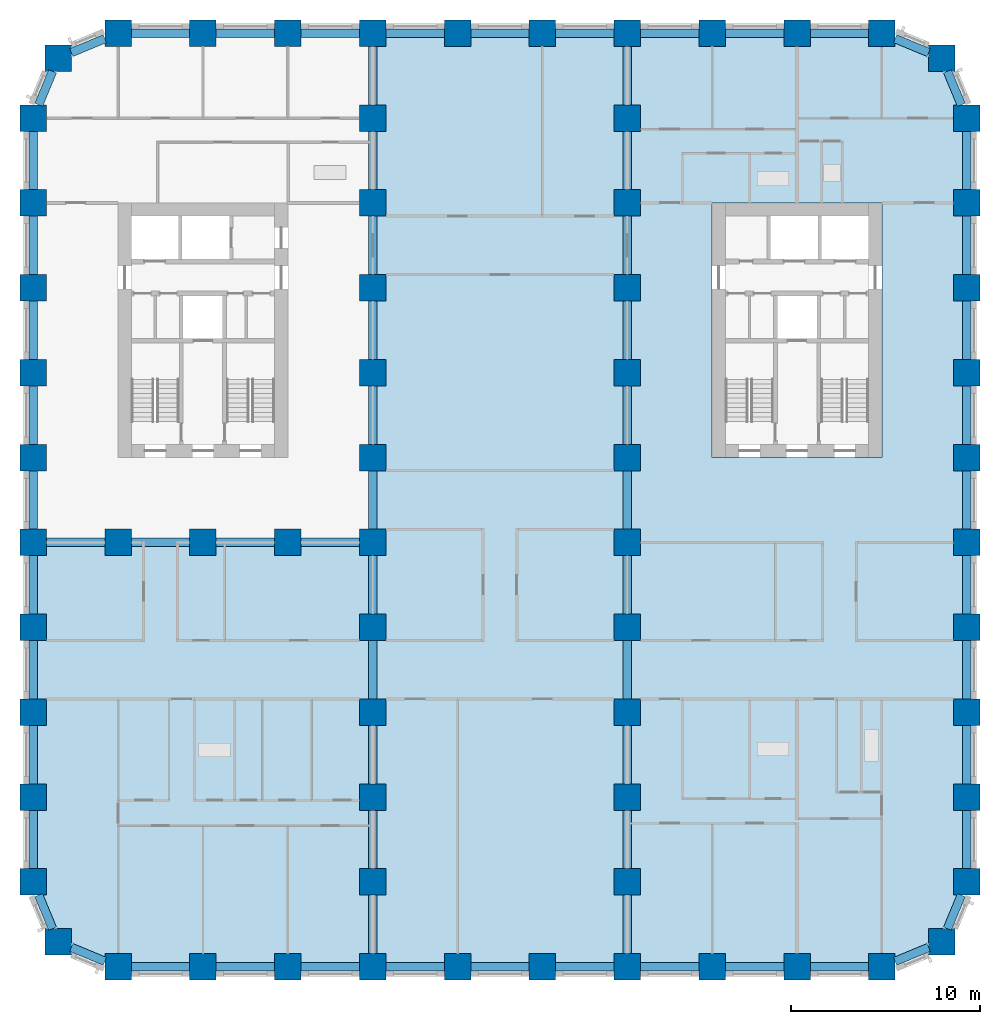
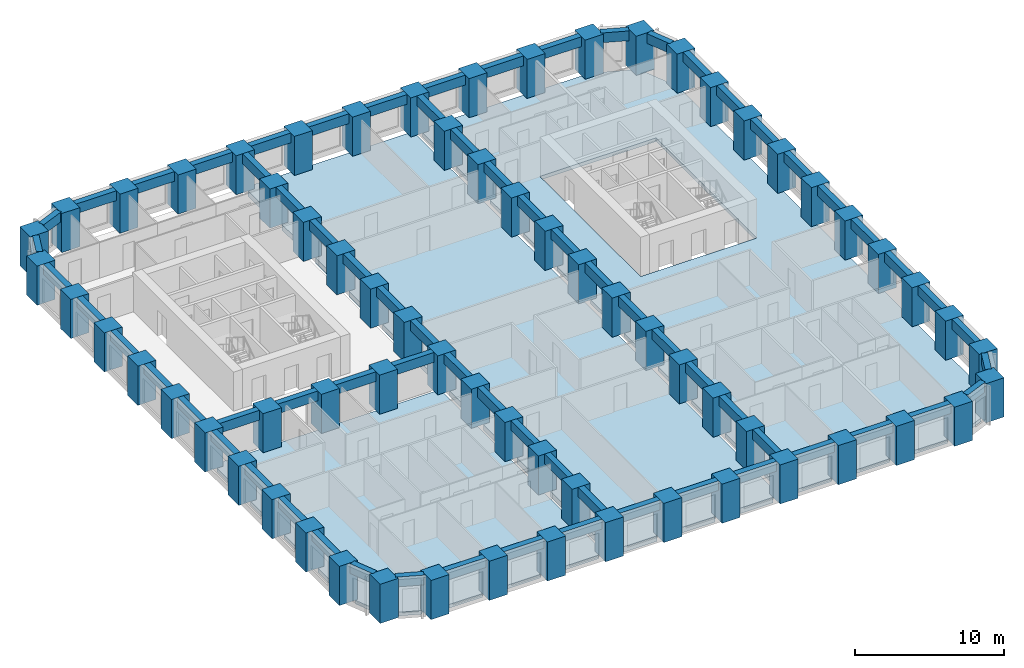
# One storey, part 1 of 12: 70 beams, 67 columns, 3 slabs.
"""IFC4 building model written with IfcOpenShell, lengths in metres."""

from ifc_helpers import new_model, si_unit, direction, frame, origin, origin_2d, place, context, subcontext, project, spatial, polyline, rectangle, outline, extrude, material, layer, layer_set, material_profile, profile_set, type_object, element, save


model = new_model("IFC4")

# Units and contexts
model_context = context("Model", 3, precision=1e-05, world=origin(), true_north=direction((0.0, 1.0)))
body_context = subcontext(model_context, "Body", "Model", "MODEL_VIEW")
ifc_project = project(units=[si_unit("LENGTHUNIT", "METRE"), si_unit("AREAUNIT", "SQUARE_METRE"), si_unit("VOLUMEUNIT", "CUBIC_METRE"), si_unit("PLANEANGLEUNIT", "RADIAN"), si_unit("MASSUNIT", "GRAM", prefix="KILO")], contexts=[model_context])

# Site, building, storey
site_placement = place(None, origin())
site = spatial("IfcSite", under=ifc_project, at=site_placement, CompositionType="ELEMENT")
building_placement = place(site_placement, origin())
building = spatial("IfcBuilding", under=site, at=building_placement, Name="Girih Gate Residences", CompositionType="ELEMENT")
storey_placement = place(building_placement, frame((0.0, 0.0, 59.199951171875)))
storey = spatial("IfcBuildingStorey", under=building, at=storey_placement, Name="L15", CompositionType="ELEMENT", Elevation=59.199951171875)

# Columns
ifc_material_1 = material(Name="Concrete C80/95", Category="concrete")
ifc_material_profile_1 = material_profile(ifc_material_1, rectangle(XDim=1.39990234375, YDim=1.39990234375, at=origin_2d()))
ifc_profile_set_1 = profile_set([ifc_material_profile_1], Name="Concrete C80/95")
column_type = type_object("IfcColumnType", Name="Pier RC 1400x1400 Concrete C80/95", PredefinedType="COLUMN", material=ifc_profile_set_1)
for number, where, z_axis, x_axis, name in (
    (1, (4.5, 0.0, 0.0), (0.0, 0.0, 1.0), (1.0, 0.0, 0.0), "Pier P2A L15"),
    (2, (9.0, 0.0, 0.0), (0.0, 0.0, 1.0), (1.0, 0.0, 0.0), "Pier P3A L15"),
    (3, (13.5, 0.0, 0.0), (0.0, 0.0, 1.0), (1.0, 0.0, 0.0), "Pier P4A L15"),
    (4, (18.0, 0.0, 0.0), (0.0, 0.0, 1.0), (1.0, 0.0, 0.0), "Pier P5A L15"),
    (5, (22.5, 0.0, 0.0), (0.0, 0.0, 1.0), (1.0, 0.0, 0.0), "Pier P6A L15"),
    (6, (27.0, 0.0, 0.0), (0.0, 0.0, 1.0), (1.0, 0.0, 0.0), "Pier P7A L15"),
    (7, (31.5, 0.0, 0.0), (0.0, 0.0, 1.0), (1.0, 0.0, 0.0), "Pier P8A L15"),
    (8, (36.0, 0.0, 0.0), (0.0, 0.0, 1.0), (1.0, 0.0, 0.0), "Pier P9A L15"),
    (9, (40.5, 0.0, 0.0), (0.0, 0.0, 1.0), (1.0, 0.0, 0.0), "Pier P10A L15"),
    (10, (45.0, 0.0, 0.0), (0.0, 0.0, 1.0), (1.0, 0.0, 0.0), "Pier P11A L15"),
    (11, (1.318115234375, 1.318115234375, 0.0), (0.0, 0.0, 1.0), (1.0, 0.0, 0.0), "Pier P1ANE L15"),
    (12, (48.181884765625, 1.318115234375, 0.0), (0.0, 0.0, 1.0), (1.0, 0.0, 0.0), "Pier P12ANW L15"),
    (13, (0.0, 4.5, 0.0), (0.0, 0.0, 1.0), (1.0, 0.0, 0.0), "Pier P1B L15"),
    (14, (18.0, 4.5, 0.0), (0.0, 0.0, 1.0), (1.0, 0.0, 0.0), "Pier P5B L15"),
    (15, (31.5, 4.5, 0.0), (0.0, 0.0, 1.0), (1.0, 0.0, 0.0), "Pier P8B L15"),
    (16, (49.5, 4.5, 0.0), (0.0, 0.0, 1.0), (1.0, 0.0, 0.0), "Pier P12B L15"),
    (17, (0.0, 9.0, 0.0), (0.0, 0.0, 1.0), (1.0, 0.0, 0.0), "Pier P1C L15"),
    (18, (18.0, 9.0, 0.0), (0.0, 0.0, 1.0), (1.0, 0.0, 0.0), "Pier P5C L15"),
    (19, (31.5, 9.0, 0.0), (0.0, 0.0, 1.0), (1.0, 0.0, 0.0), "Pier P8C L15"),
    (20, (49.5, 9.0, 0.0), (0.0, 0.0, 1.0), (1.0, 0.0, 0.0), "Pier P12C L15"),
    (21, (0.0, 13.5, 0.0), (0.0, 0.0, 1.0), (1.0, 0.0, 0.0), "Pier P1D L15"),
    (22, (18.0, 13.5, 0.0), (0.0, 0.0, 1.0), (1.0, 0.0, 0.0), "Pier P5D L15"),
    (23, (31.5, 13.5, 0.0), (0.0, 0.0, 1.0), (1.0, 0.0, 0.0), "Pier P8D L15"),
    (24, (49.5, 13.5, 0.0), (0.0, 0.0, 1.0), (1.0, 0.0, 0.0), "Pier P12D L15"),
    (25, (0.0, 18.0, 0.0), (0.0, 0.0, 1.0), (1.0, 0.0, 0.0), "Pier P1E L15"),
    (26, (18.0, 18.0, 0.0), (0.0, 0.0, 1.0), (1.0, 0.0, 0.0), "Pier P5E L15"),
    (27, (31.5, 18.0, 0.0), (0.0, 0.0, 1.0), (1.0, 0.0, 0.0), "Pier P8E L15"),
    (28, (49.5, 18.0, 0.0), (0.0, 0.0, 1.0), (1.0, 0.0, 0.0), "Pier P12E L15"),
    (29, (0.0, 22.5, 0.0), (0.0, 0.0, 1.0), (1.0, 0.0, 0.0), "Pier P1F L15"),
    (30, (4.5, 22.5, 0.0), (0.0, 0.0, 1.0), (1.0, 0.0, 0.0), "Pier P2F L15"),
    (31, (9.0, 22.5, 0.0), (0.0, 0.0, 1.0), (1.0, 0.0, 0.0), "Pier P3F L15"),
    (32, (13.5, 22.5, 0.0), (0.0, 0.0, 1.0), (1.0, 0.0, 0.0), "Pier P4F L15"),
    (33, (18.0, 22.5, 0.0), (0.0, 0.0, 1.0), (1.0, 0.0, 0.0), "Pier P5F L15"),
    (34, (31.5, 22.5, 0.0), (0.0, 0.0, 1.0), (1.0, 0.0, 0.0), "Pier P8F L15"),
    (35, (49.5, 22.5, 0.0), (0.0, 0.0, 1.0), (1.0, 0.0, 0.0), "Pier P12F L15"),
    (36, (0.0, 27.0, 0.0), (0.0, 0.0, 1.0), (1.0, 0.0, 0.0), "Pier P1G L15"),
    (37, (18.0, 27.0, 0.0), (0.0, 0.0, 1.0), (1.0, 0.0, 0.0), "Pier P5G L15"),
    (38, (31.5, 27.0, 0.0), (0.0, 0.0, 1.0), (1.0, 0.0, 0.0), "Pier P8G L15"),
    (39, (49.5, 27.0, 0.0), (0.0, 0.0, 1.0), (1.0, 0.0, 0.0), "Pier P12G L15"),
    (40, (0.0, 31.5, 0.0), (0.0, 0.0, 1.0), (1.0, 0.0, 0.0), "Pier P1H L15"),
    (41, (18.0, 31.5, 0.0), (0.0, 0.0, 1.0), (1.0, 0.0, 0.0), "Pier P5H L15"),
    (42, (31.5, 31.5, 0.0), (0.0, 0.0, 1.0), (1.0, 0.0, 0.0), "Pier P8H L15"),
    (43, (49.5, 31.5, 0.0), (0.0, 0.0, 1.0), (1.0, 0.0, 0.0), "Pier P12H L15"),
    (44, (0.0, 36.0, 0.0), (0.0, 0.0, 1.0), (1.0, 0.0, 0.0), "Pier P1I L15"),
    (45, (18.0, 36.0, 0.0), (0.0, 0.0, 1.0), (1.0, 0.0, 0.0), "Pier P5I L15"),
    (46, (31.5, 36.0, 0.0), (0.0, 0.0, 1.0), (1.0, 0.0, 0.0), "Pier P8I L15"),
    (47, (49.5, 36.0, 0.0), (0.0, 0.0, 1.0), (1.0, 0.0, 0.0), "Pier P12I L15"),
    (48, (0.0, 40.5, 0.0), (0.0, 0.0, 1.0), (1.0, 0.0, 0.0), "Pier P1J L15"),
    (49, (18.0, 40.5, 0.0), (0.0, 0.0, 1.0), (1.0, 0.0, 0.0), "Pier P5J L15"),
    (50, (31.5, 40.5, 0.0), (0.0, 0.0, 1.0), (1.0, 0.0, 0.0), "Pier P8J L15"),
    (51, (49.5, 40.5, 0.0), (0.0, 0.0, 1.0), (1.0, 0.0, 0.0), "Pier P12J L15"),
    (52, (0.0, 45.0, 0.0), (0.0, 0.0, 1.0), (1.0, 0.0, 0.0), "Pier P1K L15"),
    (53, (18.0, 45.0, 0.0), (0.0, 0.0, 1.0), (1.0, 0.0, 0.0), "Pier P5K L15"),
    (54, (31.5, 45.0, 0.0), (0.0, 0.0, 1.0), (1.0, 0.0, 0.0), "Pier P8K L15"),
    (55, (49.5, 45.0, 0.0), (0.0, 0.0, 1.0), (1.0, 0.0, 0.0), "Pier P12K L15"),
    (56, (1.318115234375, 48.181884765625, 0.0), (0.0, 0.0, 1.0), (1.0, 0.0, 0.0), "Pier P1LSE L15"),
    (57, (48.181884765625, 48.181884765625, 0.0), (0.0, 0.0, 1.0), (1.0, 0.0, 0.0), "Pier P12LSW L15"),
    (58, (4.5, 49.5, 0.0), (0.0, 0.0, 1.0), (1.0, 0.0, 0.0), "Pier P2L L15"),
    (59, (9.0, 49.5, 0.0), (0.0, 0.0, 1.0), (1.0, 0.0, 0.0), "Pier P3L L15"),
    (60, (13.5, 49.5, 0.0), (0.0, 0.0, 1.0), (1.0, 0.0, 0.0), "Pier P4L L15"),
    (61, (18.0, 49.5, 0.0), (0.0, 0.0, 1.0), (1.0, 0.0, 0.0), "Pier P5L L15"),
    (62, (22.5, 49.5, 0.0), (0.0, 0.0, 1.0), (1.0, 0.0, 0.0), "Pier P6L L15"),
    (63, (27.0, 49.5, 0.0), (0.0, 0.0, 1.0), (1.0, 0.0, 0.0), "Pier P7L L15"),
    (64, (31.5, 49.5, 0.0), (0.0, 0.0, 1.0), (1.0, 0.0, 0.0), "Pier P8L L15"),
    (65, (36.0, 49.5, 0.0), (0.0, 0.0, 1.0), (1.0, 0.0, 0.0), "Pier P9L L15"),
    (66, (40.5, 49.5, 0.0), (0.0, 0.0, 1.0), (1.0, 0.0, 0.0), "Pier P10L L15"),
    (67, (45.0, 49.5, 0.0), (0.0, 0.0, 1.0), (1.0, 0.0, 0.0), "Pier P11L L15"),
):
    element("IfcColumn", number, at=place(storey_placement, frame(where, z_axis=z_axis, x_axis=x_axis)), inside=storey, type_object=column_type, Name=name, PredefinedType="COLUMN", context=body_context, shape_type="SweptSolid", body=[
        extrude(rectangle(XDim=1.39990234375, YDim=1.39990234375, at=origin_2d()), origin(), (0.0, 0.0, 1.0), 3.199951171875),
    ])

# Beams
ifc_material_2 = material(Name="Concrete C60/75", Category="concrete")
ifc_material_profile_2 = material_profile(ifc_material_2, rectangle(XDim=0.449951171875, YDim=0.800048828125, at=origin_2d()))
ifc_profile_set_2 = profile_set([ifc_material_profile_2], Name="Concrete C60/75")
beam_type = type_object("IfcBeamType", Name="Spandrel girder RC 450x800 Concrete C60/75", PredefinedType="BEAM", material=ifc_profile_set_2)
for number, where, z_axis, x_axis, name in (
    (68, (0.2900390625, 3.800048828125, 2.800048828125), (0.382646180293, -0.923894961945, 0.0), (0.923894961945, 0.382646180293, 0.0), "Spandrel girder SP-P1B-P1ANE L15"),
    (69, (2.01806640625, 1.028076171875, 2.800048828125), (0.923894961945, -0.382646180293, 0.0), (0.382646180293, 0.923894961945, 0.0), "Spandrel girder SP-P1ANE-P2A L15"),
):
    element("IfcBeam", number, at=place(storey_placement, frame(where, z_axis=z_axis, x_axis=x_axis)), inside=storey, type_object=beam_type, Name=name, PredefinedType="BEAM", context=body_context, shape_type="SweptSolid", body=[
        extrude(rectangle(XDim=0.449951171875, YDim=0.800048828125, at=origin_2d()), origin(), (0.0, 0.0, 1.0), 1.9287109375),
    ])
for number, where, z_axis, x_axis, name in (
    (70, (5.199951171875, 0.0, 2.800048828125), (1.0, 0.0, 0.0), (0.0, 1.0, 0.0), "Spandrel girder SP-P2A-P3A L15"),
    (71, (9.699951171875, 0.0, 2.800048828125), (1.0, 0.0, 0.0), (0.0, 1.0, 0.0), "Spandrel girder SP-P3A-P4A L15"),
    (72, (14.199951171875, 0.0, 2.800048828125), (1.0, 0.0, 0.0), (0.0, 1.0, 0.0), "Spandrel girder SP-P4A-P5A L15"),
    (73, (18.699951171875, 0.0, 2.800048828125), (1.0, 0.0, 0.0), (0.0, 1.0, 0.0), "Spandrel girder SP-P5A-P6A L15"),
    (74, (23.199951171875, 0.0, 2.800048828125), (1.0, 0.0, 0.0), (0.0, 1.0, 0.0), "Spandrel girder SP-P6A-P7A L15"),
    (75, (27.699951171875, 0.0, 2.800048828125), (1.0, 0.0, 0.0), (0.0, 1.0, 0.0), "Spandrel girder SP-P7A-P8A L15"),
    (76, (32.199951171875, 0.0, 2.800048828125), (1.0, 0.0, 0.0), (0.0, 1.0, 0.0), "Spandrel girder SP-P8A-P9A L15"),
    (77, (36.699951171875, 0.0, 2.800048828125), (1.0, 0.0, 0.0), (0.0, 1.0, 0.0), "Spandrel girder SP-P9A-P10A L15"),
    (78, (41.199951171875, 0.0, 2.800048828125), (1.0, 0.0, 0.0), (0.0, 1.0, 0.0), "Spandrel girder SP-P10A-P11A L15"),
):
    element("IfcBeam", number, at=place(storey_placement, frame(where, z_axis=z_axis, x_axis=x_axis)), inside=storey, type_object=beam_type, Name=name, PredefinedType="BEAM", context=body_context, shape_type="SweptSolid", body=[
        extrude(rectangle(XDim=0.449951171875, YDim=0.800048828125, at=origin_2d()), origin(), (0.0, 0.0, 1.0), 3.10009765625),
    ])
for number, where, z_axis, x_axis, name in (
    (79, (45.699951171875, 0.2900390625, 2.800048828125), (0.923894961945, 0.382646180293, 0.0), (-0.382646180293, 0.923894961945, 0.0), "Spandrel girder SP-P11A-P12ANW L15"),
    (80, (48.471923828125, 2.01806640625, 2.800048828125), (0.382646180293, 0.923894961945, 0.0), (-0.923894961945, 0.382646180293, 0.0), "Spandrel girder SP-P12ANW-P12B L15"),
):
    element("IfcBeam", number, at=place(storey_placement, frame(where, z_axis=z_axis, x_axis=x_axis)), inside=storey, type_object=beam_type, Name=name, PredefinedType="BEAM", context=body_context, shape_type="SweptSolid", body=[
        extrude(rectangle(XDim=0.449951171875, YDim=0.800048828125, at=origin_2d()), origin(), (0.0, 0.0, 1.0), 1.9287109375),
    ])
for number, where, z_axis, x_axis, name in (
    (81, (49.5, 5.199951171875, 2.800048828125), (0.0, 1.0, 0.0), (-1.0, 0.0, 0.0), "Spandrel girder SP-P12B-P12C L15"),
    (82, (49.5, 9.699951171875, 2.800048828125), (0.0, 1.0, 0.0), (-1.0, 0.0, 0.0), "Spandrel girder SP-P12C-P12D L15"),
    (83, (49.5, 14.199951171875, 2.800048828125), (0.0, 1.0, 0.0), (-1.0, 0.0, 0.0), "Spandrel girder SP-P12D-P12E L15"),
    (84, (49.5, 18.699951171875, 2.800048828125), (0.0, 1.0, 0.0), (-1.0, 0.0, 0.0), "Spandrel girder SP-P12E-P12F L15"),
    (85, (49.5, 23.199951171875, 2.800048828125), (0.0, 1.0, 0.0), (-1.0, 0.0, 0.0), "Spandrel girder SP-P12F-P12G L15"),
    (86, (49.5, 27.699951171875, 2.800048828125), (0.0, 1.0, 0.0), (-1.0, 0.0, 0.0), "Spandrel girder SP-P12G-P12H L15"),
    (87, (49.5, 32.199951171875, 2.800048828125), (0.0, 1.0, 0.0), (-1.0, 0.0, 0.0), "Spandrel girder SP-P12H-P12I L15"),
    (88, (49.5, 36.699951171875, 2.800048828125), (0.0, 1.0, 0.0), (-1.0, 0.0, 0.0), "Spandrel girder SP-P12I-P12J L15"),
    (89, (49.5, 41.199951171875, 2.800048828125), (0.0, 1.0, 0.0), (-1.0, 0.0, 0.0), "Spandrel girder SP-P12J-P12K L15"),
):
    element("IfcBeam", number, at=place(storey_placement, frame(where, z_axis=z_axis, x_axis=x_axis)), inside=storey, type_object=beam_type, Name=name, PredefinedType="BEAM", context=body_context, shape_type="SweptSolid", body=[
        extrude(rectangle(XDim=0.449951171875, YDim=0.800048828125, at=origin_2d()), origin(), (0.0, 0.0, 1.0), 3.10009765625),
    ])
for number, where, z_axis, x_axis, name in (
    (90, (49.2099609375, 45.699951171875, 2.800048828125), (-0.382646180293, 0.923894961945, 0.0), (-0.923894961945, -0.382646180293, 0.0), "Spandrel girder SP-P12K-P12LSW L15"),
    (91, (47.48193359375, 48.471923828125, 2.800048828125), (-0.923894961945, 0.382646180293, 0.0), (-0.382646180293, -0.923894961945, 0.0), "Spandrel girder SP-P12LSW-P11L L15"),
):
    element("IfcBeam", number, at=place(storey_placement, frame(where, z_axis=z_axis, x_axis=x_axis)), inside=storey, type_object=beam_type, Name=name, PredefinedType="BEAM", context=body_context, shape_type="SweptSolid", body=[
        extrude(rectangle(XDim=0.449951171875, YDim=0.800048828125, at=origin_2d()), origin(), (0.0, 0.0, 1.0), 1.9287109375),
    ])
for number, where, z_axis, x_axis, name in (
    (92, (44.300048828125, 49.5, 2.800048828125), (-1.0, 0.0, 0.0), (0.0, -1.0, 0.0), "Spandrel girder SP-P11L-P10L L15"),
    (93, (39.800048828125, 49.5, 2.800048828125), (-1.0, 0.0, 0.0), (0.0, -1.0, 0.0), "Spandrel girder SP-P10L-P9L L15"),
    (94, (35.300048828125, 49.5, 2.800048828125), (-1.0, 0.0, 0.0), (0.0, -1.0, 0.0), "Spandrel girder SP-P9L-P8L L15"),
    (95, (30.800048828125, 49.5, 2.800048828125), (-1.0, 0.0, 0.0), (0.0, -1.0, 0.0), "Spandrel girder SP-P8L-P7L L15"),
    (96, (26.300048828125, 49.5, 2.800048828125), (-1.0, 0.0, 0.0), (0.0, -1.0, 0.0), "Spandrel girder SP-P7L-P6L L15"),
    (97, (21.800048828125, 49.5, 2.800048828125), (-1.0, 0.0, 0.0), (0.0, -1.0, 0.0), "Spandrel girder SP-P6L-P5L L15"),
    (98, (17.300048828125, 49.5, 2.800048828125), (-1.0, 0.0, 0.0), (0.0, -1.0, 0.0), "Spandrel girder SP-P5L-P4L L15"),
    (99, (12.800048828125, 49.5, 2.800048828125), (-1.0, 0.0, 0.0), (0.0, -1.0, 0.0), "Spandrel girder SP-P4L-P3L L15"),
    (100, (8.300048828125, 49.5, 2.800048828125), (-1.0, 0.0, 0.0), (0.0, -1.0, 0.0), "Spandrel girder SP-P3L-P2L L15"),
):
    element("IfcBeam", number, at=place(storey_placement, frame(where, z_axis=z_axis, x_axis=x_axis)), inside=storey, type_object=beam_type, Name=name, PredefinedType="BEAM", context=body_context, shape_type="SweptSolid", body=[
        extrude(rectangle(XDim=0.449951171875, YDim=0.800048828125, at=origin_2d()), origin(), (0.0, 0.0, 1.0), 3.10009765625),
    ])
for number, where, z_axis, x_axis, name in (
    (101, (3.800048828125, 49.2099609375, 2.800048828125), (-0.923894961945, -0.382646180293, 0.0), (0.382646180293, -0.923894961945, 0.0), "Spandrel girder SP-P2L-P1LSE L15"),
    (102, (1.028076171875, 47.48193359375, 2.800048828125), (-0.382646180293, -0.923894961945, 0.0), (0.923894961945, -0.382646180293, 0.0), "Spandrel girder SP-P1LSE-P1K L15"),
):
    element("IfcBeam", number, at=place(storey_placement, frame(where, z_axis=z_axis, x_axis=x_axis)), inside=storey, type_object=beam_type, Name=name, PredefinedType="BEAM", context=body_context, shape_type="SweptSolid", body=[
        extrude(rectangle(XDim=0.449951171875, YDim=0.800048828125, at=origin_2d()), origin(), (0.0, 0.0, 1.0), 1.9287109375),
    ])
for number, where, z_axis, x_axis, name in (
    (103, (0.0, 44.300048828125, 2.800048828125), (0.0, -1.0, 0.0), (1.0, 0.0, 0.0), "Spandrel girder SP-P1K-P1J L15"),
    (104, (0.0, 39.800048828125, 2.800048828125), (0.0, -1.0, 0.0), (1.0, 0.0, 0.0), "Spandrel girder SP-P1J-P1I L15"),
    (105, (0.0, 35.300048828125, 2.800048828125), (0.0, -1.0, 0.0), (1.0, 0.0, 0.0), "Spandrel girder SP-P1I-P1H L15"),
    (106, (0.0, 30.800048828125, 2.800048828125), (0.0, -1.0, 0.0), (1.0, 0.0, 0.0), "Spandrel girder SP-P1H-P1G L15"),
    (107, (0.0, 26.300048828125, 2.800048828125), (0.0, -1.0, 0.0), (1.0, 0.0, 0.0), "Spandrel girder SP-P1G-P1F L15"),
    (108, (0.0, 21.800048828125, 2.800048828125), (0.0, -1.0, 0.0), (1.0, 0.0, 0.0), "Spandrel girder SP-P1F-P1E L15"),
    (109, (0.0, 17.300048828125, 2.800048828125), (0.0, -1.0, 0.0), (1.0, 0.0, 0.0), "Spandrel girder SP-P1E-P1D L15"),
    (110, (0.0, 12.800048828125, 2.800048828125), (0.0, -1.0, 0.0), (1.0, 0.0, 0.0), "Spandrel girder SP-P1D-P1C L15"),
    (111, (0.0, 8.300048828125, 2.800048828125), (0.0, -1.0, 0.0), (1.0, 0.0, 0.0), "Spandrel girder SP-P1C-P1B L15"),
    (112, (18.0, 0.699951171875, 2.800048828125), (0.0, 1.0, 0.0), (-1.0, 0.0, 0.0), "Spandrel girder SP-P5A-P5B L15"),
    (113, (18.0, 5.199951171875, 2.800048828125), (0.0, 1.0, 0.0), (-1.0, 0.0, 0.0), "Spandrel girder SP-P5B-P5C L15"),
    (114, (18.0, 9.699951171875, 2.800048828125), (0.0, 1.0, 0.0), (-1.0, 0.0, 0.0), "Spandrel girder SP-P5C-P5D L15"),
    (115, (18.0, 14.199951171875, 2.800048828125), (0.0, 1.0, 0.0), (-1.0, 0.0, 0.0), "Spandrel girder SP-P5D-P5E L15"),
    (116, (18.0, 18.699951171875, 2.800048828125), (0.0, 1.0, 0.0), (-1.0, 0.0, 0.0), "Spandrel girder SP-P5E-P5F L15"),
    (117, (18.0, 23.199951171875, 2.800048828125), (0.0, 1.0, 0.0), (-1.0, 0.0, 0.0), "Spandrel girder SP-P5F-P5G L15"),
    (118, (18.0, 27.699951171875, 2.800048828125), (0.0, 1.0, 0.0), (-1.0, 0.0, 0.0), "Spandrel girder SP-P5G-P5H L15"),
    (119, (18.0, 32.199951171875, 2.800048828125), (0.0, 1.0, 0.0), (-1.0, 0.0, 0.0), "Spandrel girder SP-P5H-P5I L15"),
    (120, (18.0, 36.699951171875, 2.800048828125), (0.0, 1.0, 0.0), (-1.0, 0.0, 0.0), "Spandrel girder SP-P5I-P5J L15"),
    (121, (18.0, 41.199951171875, 2.800048828125), (0.0, 1.0, 0.0), (-1.0, 0.0, 0.0), "Spandrel girder SP-P5J-P5K L15"),
    (122, (18.0, 45.699951171875, 2.800048828125), (0.0, 1.0, 0.0), (-1.0, 0.0, 0.0), "Spandrel girder SP-P5K-P5L L15"),
    (123, (31.5, 0.699951171875, 2.800048828125), (0.0, 1.0, 0.0), (-1.0, 0.0, 0.0), "Spandrel girder SP-P8A-P8B L15"),
    (124, (31.5, 5.199951171875, 2.800048828125), (0.0, 1.0, 0.0), (-1.0, 0.0, 0.0), "Spandrel girder SP-P8B-P8C L15"),
    (125, (31.5, 9.699951171875, 2.800048828125), (0.0, 1.0, 0.0), (-1.0, 0.0, 0.0), "Spandrel girder SP-P8C-P8D L15"),
    (126, (31.5, 14.199951171875, 2.800048828125), (0.0, 1.0, 0.0), (-1.0, 0.0, 0.0), "Spandrel girder SP-P8D-P8E L15"),
    (127, (31.5, 18.699951171875, 2.800048828125), (0.0, 1.0, 0.0), (-1.0, 0.0, 0.0), "Spandrel girder SP-P8E-P8F L15"),
    (128, (31.5, 23.199951171875, 2.800048828125), (0.0, 1.0, 0.0), (-1.0, 0.0, 0.0), "Spandrel girder SP-P8F-P8G L15"),
    (129, (31.5, 27.699951171875, 2.800048828125), (0.0, 1.0, 0.0), (-1.0, 0.0, 0.0), "Spandrel girder SP-P8G-P8H L15"),
    (130, (31.5, 32.199951171875, 2.800048828125), (0.0, 1.0, 0.0), (-1.0, 0.0, 0.0), "Spandrel girder SP-P8H-P8I L15"),
    (131, (31.5, 36.699951171875, 2.800048828125), (0.0, 1.0, 0.0), (-1.0, 0.0, 0.0), "Spandrel girder SP-P8I-P8J L15"),
    (132, (31.5, 41.199951171875, 2.800048828125), (0.0, 1.0, 0.0), (-1.0, 0.0, 0.0), "Spandrel girder SP-P8J-P8K L15"),
    (133, (31.5, 45.699951171875, 2.800048828125), (0.0, 1.0, 0.0), (-1.0, 0.0, 0.0), "Spandrel girder SP-P8K-P8L L15"),
    (134, (0.699951171875, 22.5, 2.800048828125), (1.0, 0.0, 0.0), (0.0, 1.0, 0.0), "Spandrel girder SP-P1F-P2F L15"),
    (135, (5.199951171875, 22.5, 2.800048828125), (1.0, 0.0, 0.0), (0.0, 1.0, 0.0), "Spandrel girder SP-P2F-P3F L15"),
    (136, (9.699951171875, 22.5, 2.800048828125), (1.0, 0.0, 0.0), (0.0, 1.0, 0.0), "Spandrel girder SP-P3F-P4F L15"),
    (137, (14.199951171875, 22.5, 2.800048828125), (1.0, 0.0, 0.0), (0.0, 1.0, 0.0), "Spandrel girder SP-P4F-P5F L15"),
):
    element("IfcBeam", number, at=place(storey_placement, frame(where, z_axis=z_axis, x_axis=x_axis)), inside=storey, type_object=beam_type, Name=name, PredefinedType="BEAM", context=body_context, shape_type="SweptSolid", body=[
        extrude(rectangle(XDim=0.449951171875, YDim=0.800048828125, at=origin_2d()), origin(), (0.0, 0.0, 1.0), 3.10009765625),
    ])

# Slabs
ifc_material_3 = material(Name="Concrete C40/50", Category="concrete")
ifc_layer_1 = layer(ifc_material_3, 0.300048828125)
ifc_layer_set_1 = layer_set([ifc_layer_1], Name="Floor slab PT 300 Concrete C40/50")
slab_type_1 = type_object("IfcSlabType", Name="Floor slab PT 300 Concrete C40/50", PredefinedType="FLOOR", material=ifc_layer_set_1)
slab_1_placement = place(storey_placement, frame((0.0, 0.0, -0.300048828125)))
element("IfcSlab", 138, at=slab_1_placement, inside=storey, type_object=slab_type_1, Name="Floor slab L15 0", PredefinedType="FLOOR", context=body_context, shape_type="SweptSolid", body=[
    extrude(outline(polyline([(0.22509765625, 8.300048828125), (0.22509765625, 5.199951171875), (0.699951171875, 5.199951171875), (0.699951171875, 3.800048828125), (0.533447265625, 3.800048828125), (1.271728515625, 2.01806640625), (2.01806640625, 2.01806640625), (2.01806640625, 1.271728515625), (3.800048828125, 0.533447265625), (3.800048828125, 0.699951171875), (5.199951171875, 0.699951171875), (5.199951171875, 0.22509765625), (8.300048828125, 0.22509765625), (8.300048828125, 0.699951171875), (9.699951171875, 0.699951171875), (9.699951171875, 0.22509765625), (12.800048828125, 0.22509765625), (12.800048828125, 0.699951171875), (14.199951171875, 0.699951171875), (14.199951171875, 0.22509765625), (17.300048828125, 0.22509765625), (17.300048828125, 0.699951171875), (17.77490234375, 0.699951171875), (17.77490234375, 3.800048828125), (17.300048828125, 3.800048828125), (17.300048828125, 5.199951171875), (17.77490234375, 5.199951171875), (17.77490234375, 8.300048828125), (17.300048828125, 8.300048828125), (17.300048828125, 9.699951171875), (17.77490234375, 9.699951171875), (17.77490234375, 12.800048828125), (17.300048828125, 12.800048828125), (17.300048828125, 14.199951171875), (17.77490234375, 14.199951171875), (17.77490234375, 17.300048828125), (17.300048828125, 17.300048828125), (17.300048828125, 18.699951171875), (17.77490234375, 18.699951171875), (17.77490234375, 21.800048828125), (17.300048828125, 21.800048828125), (17.300048828125, 22.27490234375), (14.199951171875, 22.27490234375), (14.199951171875, 21.800048828125), (12.800048828125, 21.800048828125), (12.800048828125, 22.27490234375), (9.699951171875, 22.27490234375), (9.699951171875, 21.800048828125), (8.300048828125, 21.800048828125), (8.300048828125, 22.27490234375), (5.199951171875, 22.27490234375), (5.199951171875, 21.800048828125), (3.800048828125, 21.800048828125), (3.800048828125, 22.27490234375), (0.699951171875, 22.27490234375), (0.699951171875, 21.800048828125), (0.22509765625, 21.800048828125), (0.22509765625, 18.699951171875), (0.699951171875, 18.699951171875), (0.699951171875, 17.300048828125), (0.22509765625, 17.300048828125), (0.22509765625, 14.199951171875), (0.699951171875, 14.199951171875), (0.699951171875, 12.800048828125), (0.22509765625, 12.800048828125), (0.22509765625, 9.699951171875), (0.699951171875, 9.699951171875), (0.699951171875, 8.300048828125), (0.22509765625, 8.300048828125)])), origin(), (0.0, 0.0, 1.0), 0.300048828125),
])
slab_2_placement = place(storey_placement, frame((0.0, 0.0, -0.300048828125)))
element("IfcSlab", 139, at=slab_2_placement, inside=storey, type_object=slab_type_1, Name="Floor slab L15 1", PredefinedType="FLOOR", context=body_context, shape_type="SweptSolid", body=[
    extrude(outline(polyline([(35.300048828125, 49.27490234375), (32.199951171875, 49.27490234375), (32.199951171875, 48.800048828125), (31.72509765625, 48.800048828125), (31.72509765625, 45.699951171875), (32.199951171875, 45.699951171875), (32.199951171875, 44.300048828125), (31.72509765625, 44.300048828125), (31.72509765625, 41.199951171875), (32.199951171875, 41.199951171875), (32.199951171875, 39.800048828125), (31.72509765625, 39.800048828125), (31.72509765625, 36.699951171875), (32.199951171875, 36.699951171875), (32.199951171875, 35.300048828125), (31.72509765625, 35.300048828125), (31.72509765625, 32.199951171875), (32.199951171875, 32.199951171875), (32.199951171875, 30.800048828125), (31.72509765625, 30.800048828125), (31.72509765625, 27.699951171875), (32.199951171875, 27.699951171875), (32.199951171875, 26.300048828125), (31.72509765625, 26.300048828125), (31.72509765625, 23.199951171875), (32.199951171875, 23.199951171875), (32.199951171875, 21.800048828125), (31.72509765625, 21.800048828125), (31.72509765625, 18.699951171875), (32.199951171875, 18.699951171875), (32.199951171875, 17.300048828125), (31.72509765625, 17.300048828125), (31.72509765625, 14.199951171875), (32.199951171875, 14.199951171875), (32.199951171875, 12.800048828125), (31.72509765625, 12.800048828125), (31.72509765625, 9.699951171875), (32.199951171875, 9.699951171875), (32.199951171875, 8.300048828125), (31.72509765625, 8.300048828125), (31.72509765625, 5.199951171875), (32.199951171875, 5.199951171875), (32.199951171875, 3.800048828125), (31.72509765625, 3.800048828125), (31.72509765625, 0.699951171875), (32.199951171875, 0.699951171875), (32.199951171875, 0.22509765625), (35.300048828125, 0.22509765625), (35.300048828125, 0.699951171875), (36.699951171875, 0.699951171875), (36.699951171875, 0.22509765625), (39.800048828125, 0.22509765625), (39.800048828125, 0.699951171875), (41.199951171875, 0.699951171875), (41.199951171875, 0.22509765625), (44.300048828125, 0.22509765625), (44.300048828125, 0.699951171875), (45.699951171875, 0.699951171875), (45.699951171875, 0.533447265625), (47.48193359375, 1.271728515625), (47.48193359375, 2.01806640625), (48.228271484375, 2.01806640625), (48.966552734375, 3.800048828125), (48.800048828125, 3.800048828125), (48.800048828125, 5.199951171875), (49.27490234375, 5.199951171875), (49.27490234375, 8.300048828125), (48.800048828125, 8.300048828125), (48.800048828125, 9.699951171875), (49.27490234375, 9.699951171875), (49.27490234375, 12.800048828125), (48.800048828125, 12.800048828125), (48.800048828125, 14.199951171875), (49.27490234375, 14.199951171875), (49.27490234375, 17.300048828125), (48.800048828125, 17.300048828125), (48.800048828125, 18.699951171875), (49.27490234375, 18.699951171875), (49.27490234375, 21.800048828125), (48.800048828125, 21.800048828125), (48.800048828125, 23.199951171875), (49.27490234375, 23.199951171875), (49.27490234375, 26.300048828125), (48.800048828125, 26.300048828125), (48.800048828125, 27.699951171875), (49.27490234375, 27.699951171875), (49.27490234375, 30.800048828125), (48.800048828125, 30.800048828125), (48.800048828125, 32.199951171875), (49.27490234375, 32.199951171875), (49.27490234375, 35.300048828125), (48.800048828125, 35.300048828125), (48.800048828125, 36.699951171875), (49.27490234375, 36.699951171875), (49.27490234375, 39.800048828125), (48.800048828125, 39.800048828125), (48.800048828125, 41.199951171875), (49.27490234375, 41.199951171875), (49.27490234375, 44.300048828125), (48.800048828125, 44.300048828125), (48.800048828125, 45.699951171875), (48.966552734375, 45.699951171875), (48.228271484375, 47.48193359375), (47.48193359375, 47.48193359375), (47.48193359375, 48.228271484375), (45.699951171875, 48.966552734375), (45.699951171875, 48.800048828125), (44.300048828125, 48.800048828125), (44.300048828125, 49.27490234375), (41.199951171875, 49.27490234375), (41.199951171875, 48.800048828125), (39.800048828125, 48.800048828125), (39.800048828125, 49.27490234375), (36.699951171875, 49.27490234375), (36.699951171875, 48.800048828125), (35.300048828125, 48.800048828125), (35.300048828125, 49.27490234375)]), holes=[polyline([(45.0, 40.5), (45.0, 27.0), (36.0, 27.0), (36.0, 40.5), (45.0, 40.5)])]), origin(), (0.0, 0.0, 1.0), 0.300048828125),
])
ifc_layer_2 = layer(ifc_material_3, 0.449951171875)
ifc_layer_set_2 = layer_set([ifc_layer_2], Name="Floor slab PT 450 Concrete C40/50")
slab_type_2 = type_object("IfcSlabType", Name="Floor slab PT 450 Concrete C40/50", PredefinedType="FLOOR", material=ifc_layer_set_2)
slab_3_placement = place(storey_placement, frame((0.0, 0.0, -0.449951171875)))
element("IfcSlab", 140, at=slab_3_placement, inside=storey, type_object=slab_type_2, Name="Floor slab L15 2", PredefinedType="FLOOR", context=body_context, shape_type="SweptSolid", body=[
    extrude(outline(polyline([(21.800048828125, 49.27490234375), (18.699951171875, 49.27490234375), (18.699951171875, 48.800048828125), (18.22509765625, 48.800048828125), (18.22509765625, 45.699951171875), (18.699951171875, 45.699951171875), (18.699951171875, 44.300048828125), (18.22509765625, 44.300048828125), (18.22509765625, 41.199951171875), (18.699951171875, 41.199951171875), (18.699951171875, 39.800048828125), (18.22509765625, 39.800048828125), (18.22509765625, 36.699951171875), (18.699951171875, 36.699951171875), (18.699951171875, 35.300048828125), (18.22509765625, 35.300048828125), (18.22509765625, 32.199951171875), (18.699951171875, 32.199951171875), (18.699951171875, 30.800048828125), (18.22509765625, 30.800048828125), (18.22509765625, 27.699951171875), (18.699951171875, 27.699951171875), (18.699951171875, 26.300048828125), (18.22509765625, 26.300048828125), (18.22509765625, 23.199951171875), (18.699951171875, 23.199951171875), (18.699951171875, 21.800048828125), (18.22509765625, 21.800048828125), (18.22509765625, 18.699951171875), (18.699951171875, 18.699951171875), (18.699951171875, 17.300048828125), (18.22509765625, 17.300048828125), (18.22509765625, 14.199951171875), (18.699951171875, 14.199951171875), (18.699951171875, 12.800048828125), (18.22509765625, 12.800048828125), (18.22509765625, 9.699951171875), (18.699951171875, 9.699951171875), (18.699951171875, 8.300048828125), (18.22509765625, 8.300048828125), (18.22509765625, 5.199951171875), (18.699951171875, 5.199951171875), (18.699951171875, 3.800048828125), (18.22509765625, 3.800048828125), (18.22509765625, 0.699951171875), (18.699951171875, 0.699951171875), (18.699951171875, 0.22509765625), (21.800048828125, 0.22509765625), (21.800048828125, 0.699951171875), (23.199951171875, 0.699951171875), (23.199951171875, 0.22509765625), (26.300048828125, 0.22509765625), (26.300048828125, 0.699951171875), (27.699951171875, 0.699951171875), (27.699951171875, 0.22509765625), (30.800048828125, 0.22509765625), (30.800048828125, 0.699951171875), (31.27490234375, 0.699951171875), (31.27490234375, 3.800048828125), (30.800048828125, 3.800048828125), (30.800048828125, 5.199951171875), (31.27490234375, 5.199951171875), (31.27490234375, 8.300048828125), (30.800048828125, 8.300048828125), (30.800048828125, 9.699951171875), (31.27490234375, 9.699951171875), (31.27490234375, 12.800048828125), (30.800048828125, 12.800048828125), (30.800048828125, 14.199951171875), (31.27490234375, 14.199951171875), (31.27490234375, 17.300048828125), (30.800048828125, 17.300048828125), (30.800048828125, 18.699951171875), (31.27490234375, 18.699951171875), (31.27490234375, 21.800048828125), (30.800048828125, 21.800048828125), (30.800048828125, 23.199951171875), (31.27490234375, 23.199951171875), (31.27490234375, 26.300048828125), (30.800048828125, 26.300048828125), (30.800048828125, 27.699951171875), (31.27490234375, 27.699951171875), (31.27490234375, 30.800048828125), (30.800048828125, 30.800048828125), (30.800048828125, 32.199951171875), (31.27490234375, 32.199951171875), (31.27490234375, 35.300048828125), (30.800048828125, 35.300048828125), (30.800048828125, 36.699951171875), (31.27490234375, 36.699951171875), (31.27490234375, 39.800048828125), (30.800048828125, 39.800048828125), (30.800048828125, 41.199951171875), (31.27490234375, 41.199951171875), (31.27490234375, 44.300048828125), (30.800048828125, 44.300048828125), (30.800048828125, 45.699951171875), (31.27490234375, 45.699951171875), (31.27490234375, 48.800048828125), (30.800048828125, 48.800048828125), (30.800048828125, 49.27490234375), (27.699951171875, 49.27490234375), (27.699951171875, 48.800048828125), (26.300048828125, 48.800048828125), (26.300048828125, 49.27490234375), (23.199951171875, 49.27490234375), (23.199951171875, 48.800048828125), (21.800048828125, 48.800048828125), (21.800048828125, 49.27490234375)])), origin(), (0.0, 0.0, 1.0), 0.449951171875),
])

save(model, "model.ifc")
